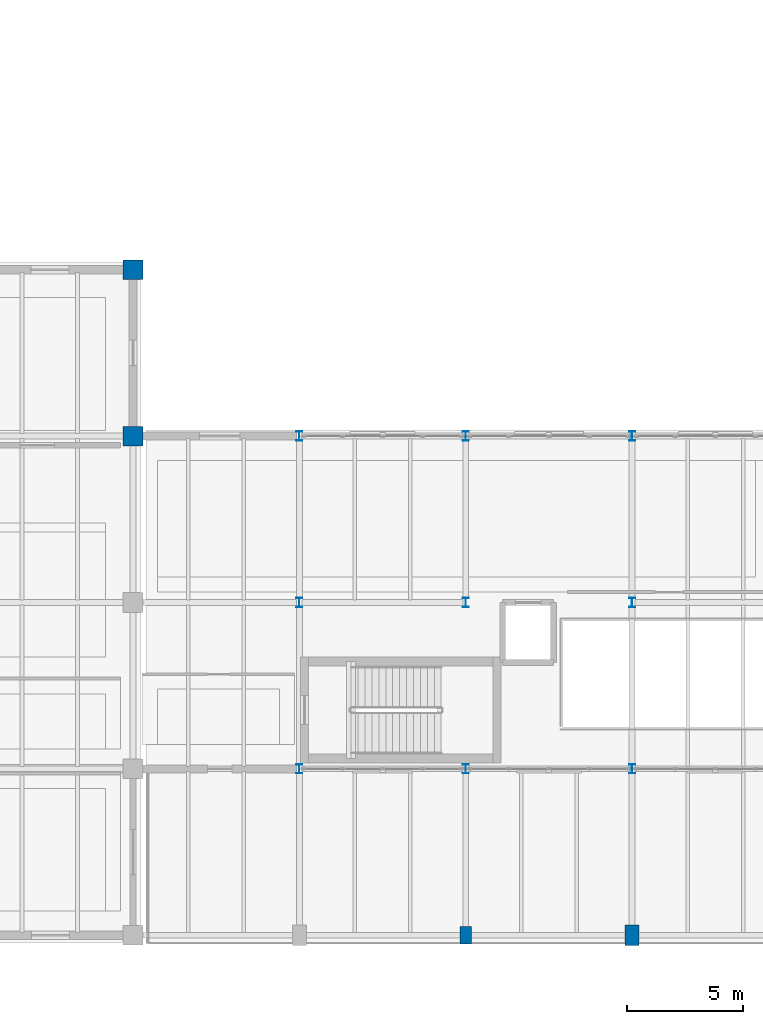
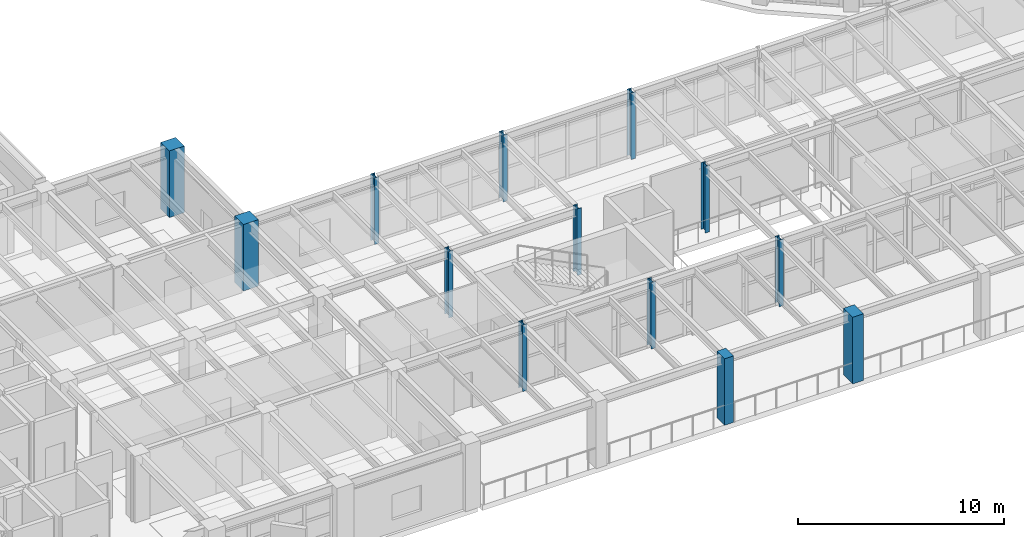
# One storey, part 2 of 59: 13 columns.
"""IFC4 building model written with IfcOpenShell, lengths in metres."""

from ifc_helpers import new_model, si_unit, direction, frame, origin, origin_2d, place, context, subcontext, project, spatial, rectangle, i_section, extrude, material, material_profile, profile_set, type_object, element, save


model = new_model("IFC4")

# Units and contexts
model_context = context("Model", 3, precision=1e-05, world=origin(), true_north=direction((0.0, 1.0)))
body_context = subcontext(model_context, "Body", "Model", "MODEL_VIEW")
ifc_project = project(units=[si_unit("LENGTHUNIT", "METRE"), si_unit("AREAUNIT", "SQUARE_METRE"), si_unit("VOLUMEUNIT", "CUBIC_METRE"), si_unit("PLANEANGLEUNIT", "RADIAN"), si_unit("MASSUNIT", "GRAM", prefix="KILO")], contexts=[model_context])

# Site, building, storey
site_placement = place(None, origin())
site = spatial("IfcSite", under=ifc_project, at=site_placement, CompositionType="ELEMENT")
building_placement = place(site_placement, origin())
building = spatial("IfcBuilding", under=site, at=building_placement, Name="Kandorven Conservatory and Botanical Research Centre", CompositionType="ELEMENT")
storey_placement = place(building_placement, frame((0.0, 0.0, 4.800048828125)))
storey = spatial("IfcBuildingStorey", under=building, at=storey_placement, Name="L01", CompositionType="ELEMENT", Elevation=4.800048828125)

# Columns
ifc_material_1 = material(Name="Concrete C40/50 (M50)", Category="concrete")
ifc_material_profile_1 = material_profile(ifc_material_1, rectangle(XDim=0.5, YDim=0.75, at=origin_2d()))
ifc_profile_set_1 = profile_set([ifc_material_profile_1], Name="Concrete C40/50 (M50)")
column_type_1 = type_object("IfcColumnType", Name="Col_AC-01", PredefinedType="PILASTER", material=ifc_profile_set_1)
column_1_placement = place(storey_placement, frame((56.39990234375, 6.0, 0.0), z_axis=(0.0, 0.0, 1.0), x_axis=(1.0, 0.0, 0.0)))
element("IfcColumn", 1, at=column_1_placement, inside=storey, type_object=column_type_1, Name="Column AC-01 VIS L01 (3,1)", PredefinedType="PILASTER", context=body_context, shape_type="SweptSolid", body=[
    extrude(rectangle(XDim=0.5, YDim=0.75, at=origin_2d()), origin(), (0.0, 0.0, 1.0), 3.949951171875),
])
ifc_material_2 = material(Name="Concrete C40/50 (M50)", Category="concrete")
ifc_material_profile_2 = material_profile(ifc_material_2, rectangle(XDim=0.60009765625, YDim=0.89990234375, at=origin_2d()))
ifc_profile_set_2 = profile_set([ifc_material_profile_2], Name="Concrete C40/50 (M50)")
column_type_2 = type_object("IfcColumnType", Name="Col_AC-02", PredefinedType="PILASTER", material=ifc_profile_set_2)
column_2_placement = place(storey_placement, frame((63.60009765625, 6.0, 0.0), z_axis=(0.0, 0.0, 1.0), x_axis=(1.0, 0.0, 0.0)))
element("IfcColumn", 2, at=column_2_placement, inside=storey, type_object=column_type_2, Name="Column AC-02 VIS L01 (4,1)", PredefinedType="PILASTER", context=body_context, shape_type="SweptSolid", body=[
    extrude(rectangle(XDim=0.60009765625, YDim=0.89990234375, at=origin_2d()), origin(), (0.0, 0.0, 1.0), 3.949951171875),
])
ifc_material_3 = material(Name="Steel S355 (IS 2062 E350)", Category="steel")
ifc_material_profile_3 = material_profile(ifc_material_3, i_section(OverallWidth=0.25, OverallDepth=0.39990234375, WebThickness=0.010498046875, FlangeThickness=0.0126953125, at=origin_2d()))
ifc_profile_set_3 = profile_set([ifc_material_profile_3], Name="Steel S355 (IS 2062 E350)")
column_type_3 = type_object("IfcColumnType", Name="Col_SC-02", PredefinedType="COLUMN", material=ifc_profile_set_3)
for number, where, z_axis, x_axis, name in (
    (3, (49.199951171875, 13.199951171875, 0.0), (0.0, 0.0, 1.0), (1.0, 0.0, 0.0), "Column SC-02 VIS L01 (2,2)"),
    (4, (49.199951171875, 20.39990234375, 0.0), (0.0, 0.0, 1.0), (1.0, 0.0, 0.0), "Column SC-02 VIS L01 (2,3)"),
    (5, (49.199951171875, 27.60009765625, 0.0), (0.0, 0.0, 1.0), (1.0, 0.0, 0.0), "Column SC-02 VIS L01 (2,4)"),
    (6, (56.39990234375, 13.199951171875, 0.0), (0.0, 0.0, 1.0), (1.0, 0.0, 0.0), "Column SC-02 VIS L01 (3,2)"),
    (7, (56.39990234375, 20.39990234375, 0.0), (0.0, 0.0, 1.0), (1.0, 0.0, 0.0), "Column SC-02 VIS L01 (3,3)"),
    (8, (56.39990234375, 27.60009765625, 0.0), (0.0, 0.0, 1.0), (1.0, 0.0, 0.0), "Column SC-02 VIS L01 (3,4)"),
    (9, (63.60009765625, 13.199951171875, 0.0), (0.0, 0.0, 1.0), (1.0, 0.0, 0.0), "Column SC-02 VIS L01 (4,2)"),
    (10, (63.60009765625, 20.39990234375, 0.0), (0.0, 0.0, 1.0), (1.0, 0.0, 0.0), "Column SC-02 VIS L01 (4,3)"),
    (11, (63.60009765625, 27.60009765625, 0.0), (0.0, 0.0, 1.0), (1.0, 0.0, 0.0), "Column SC-02 VIS L01 (4,4)"),
):
    element("IfcColumn", number, at=place(storey_placement, frame(where, z_axis=z_axis, x_axis=x_axis)), inside=storey, type_object=column_type_3, Name=name, PredefinedType="COLUMN", context=body_context, shape_type="SweptSolid", body=[
        extrude(i_section(OverallWidth=0.25, OverallDepth=0.39990234375, WebThickness=0.010498046875, FlangeThickness=0.0126953125, at=origin_2d()), origin(), (0.0, 0.0, 1.0), 3.949951171875),
    ])
ifc_material_4 = material(Name="Concrete C40/50 (M50)", Category="concrete")
ifc_material_profile_4 = material_profile(ifc_material_4, rectangle(XDim=0.85009765625, YDim=0.85009765625, at=origin_2d()))
ifc_profile_set_4 = profile_set([ifc_material_profile_4], Name="Concrete C40/50 (M50)")
column_type_4 = type_object("IfcColumnType", Name="Col_TC-02", PredefinedType="COLUMN", material=ifc_profile_set_4)
for number, where, z_axis, x_axis, name in (
    (12, (42.0, 27.60009765625, 0.0), (0.0, 0.0, 1.0), (1.0, 0.0, 0.0), "Column TC-02 TWR L01 (6,4)"),
    (13, (42.0, 34.800048828125, 0.0), (0.0, 0.0, 1.0), (1.0, 0.0, 0.0), "Column TC-02 TWR L01 (6,5)"),
):
    element("IfcColumn", number, at=place(storey_placement, frame(where, z_axis=z_axis, x_axis=x_axis)), inside=storey, type_object=column_type_4, Name=name, PredefinedType="COLUMN", context=body_context, shape_type="SweptSolid", body=[
        extrude(rectangle(XDim=0.85009765625, YDim=0.85009765625, at=origin_2d()), origin(), (0.0, 0.0, 1.0), 3.949951171875),
    ])

save(model, "model.ifc")
